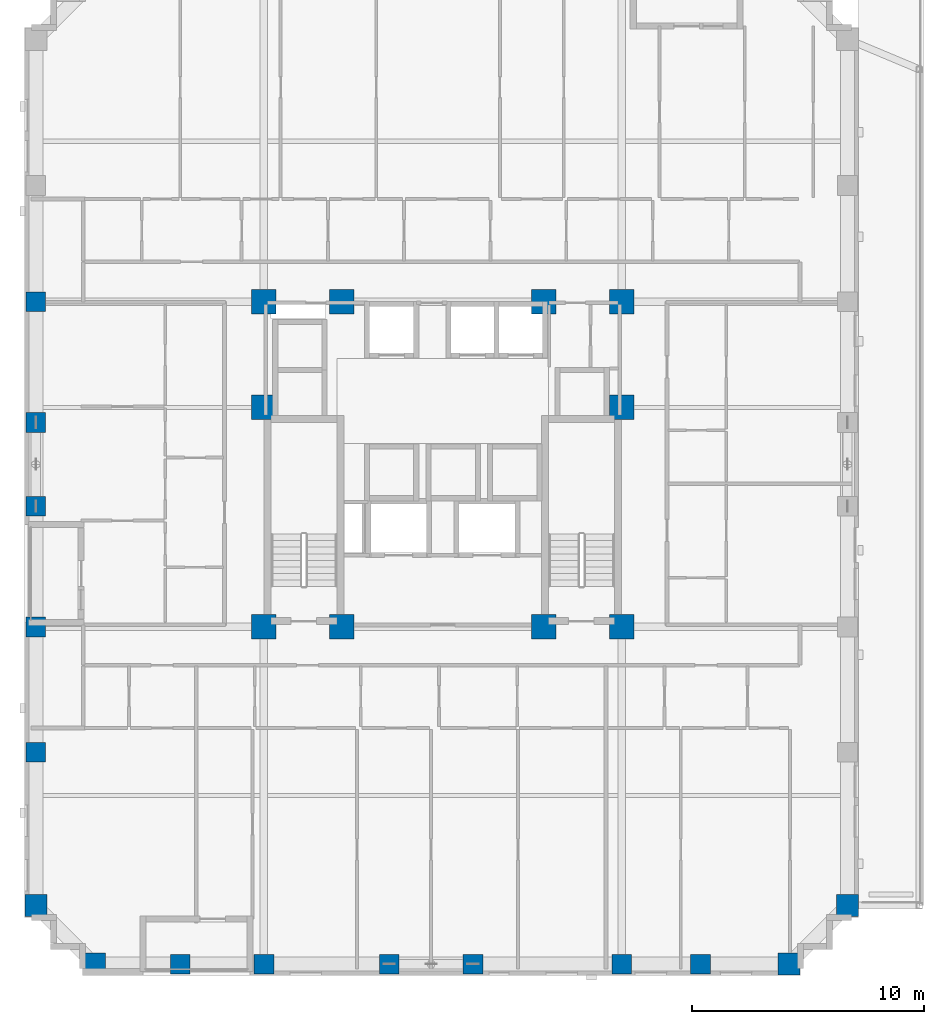
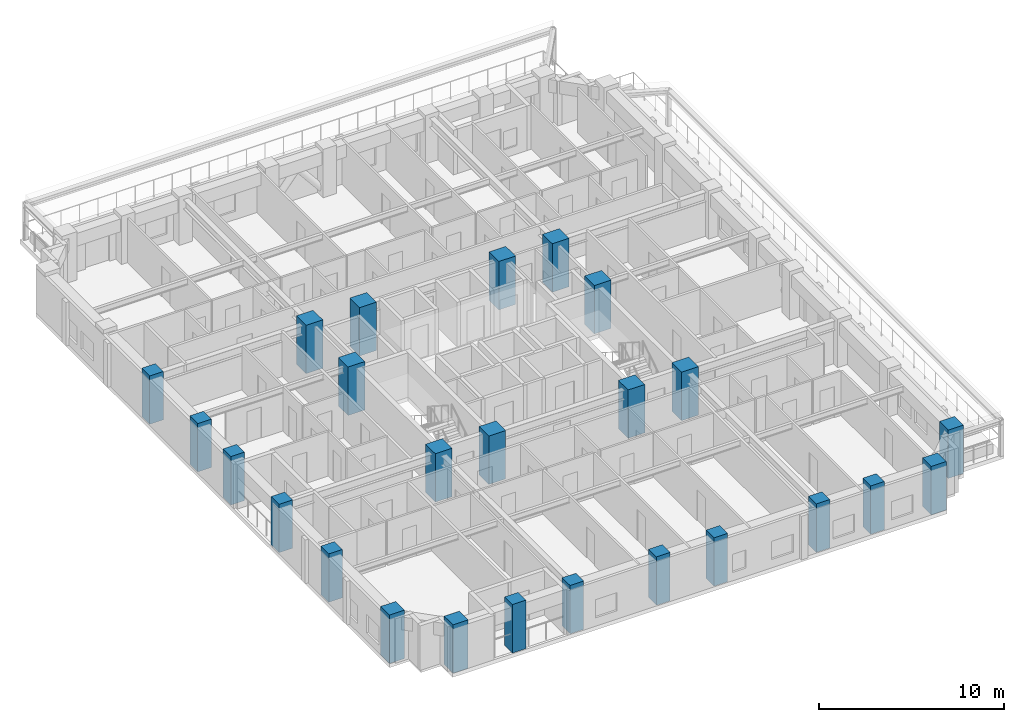
# One storey, part 1 of 16: 25 columns.
"""IFC4 building model written with IfcOpenShell, lengths in metres."""

import ifcopenshell
import ifcopenshell.guid

model = None  # the IFC model being written
_history = None  # IfcOwnerHistory: only IFC2X3 demands one
_inside = {}  # id of a spatial element -> (the spatial element, [elements in it])
_under = {}  # id of a project, library or spatial element -> (it, [spatial elements below it])
_declared = {}  # id of a project -> (the project, [libraries it declares])
_typed = {}  # id of a type object -> (the type object, [elements of that type])
_made_of = {}  # id of a material, layer set ... -> (it, [elements and type objects made of it])


def new_model(schema):
    """Start an empty IFC model of exactly this schema.

    Asked for "IFC4X3", IfcOpenShell would pick the latest addendum, in which some entities
    have other attributes; the version numbers below select the first issue.
    IFC2X3 requires an IfcOwnerHistory on every rooted entity: one is made here for all.
    """
    global model, _history
    if schema == "IFC4X3":
        model = ifcopenshell.file(schema_version=(4, 3, 0, 0))
    else:
        model = ifcopenshell.file(schema=schema)
    _inside.clear()
    _under.clear()
    _declared.clear()
    _typed.clear()
    _made_of.clear()
    _history = None
    if model.schema == "IFC2X3":
        org = make("IfcOrganization", Name="unknown")
        user = make(
            "IfcPersonAndOrganization",
            ThePerson=make("IfcPerson", FamilyName="unknown"),
            TheOrganization=org,
        )
        app = make(
            "IfcApplication",
            ApplicationDeveloper=org,
            Version="unknown",
            ApplicationFullName="unknown",
            ApplicationIdentifier="unknown",
        )
        _history = make(
            "IfcOwnerHistory",
            OwningUser=user,
            OwningApplication=app,
            ChangeAction="ADDED",
            CreationDate=0,
        )
    return model


def make(cls, **values):
    """One entity of the class cls with the attributes given. An attribute that is None is left unset."""
    return model.create_entity(
        cls, **{name: value for name, value in values.items() if value is not None}
    )


def rooted(cls, **values):
    """An entity with a GlobalId (a new one), such as an element, a storey or a relation."""
    return make(cls, GlobalId=ifcopenshell.guid.new(), OwnerHistory=_history, **values)


def si_unit(unit_type, name, prefix=None):
    """IfcSIUnit, for example si_unit("LENGTHUNIT", "METRE", prefix="MILLI")."""
    return make("IfcSIUnit", UnitType=unit_type, Prefix=prefix, Name=name)


def derived_unit(unit_type, elements):
    """IfcDerivedUnit: a product of units, each with its exponent."""
    return make(
        "IfcDerivedUnit",
        Elements=[
            make("IfcDerivedUnitElement", Unit=unit, Exponent=power)
            for unit, power in elements
        ],
        UnitType=unit_type,
    )


def assignment(units):
    """IfcUnitAssignment: the units of a project."""
    return None if units is None else make("IfcUnitAssignment", Units=units)


def point(xyz):
    """IfcCartesianPoint."""
    return None if xyz is None else make("IfcCartesianPoint", Coordinates=xyz)


def direction(xyz):
    """IfcDirection."""
    return None if xyz is None else make("IfcDirection", DirectionRatios=xyz)


def frame(location, z_axis=None, x_axis=None):
    """IfcAxis2Placement3D, a coordinate frame: its origin and axes. An axis left out is left unset."""
    return make(
        "IfcAxis2Placement3D",
        Location=point(location),
        Axis=direction(z_axis),
        RefDirection=direction(x_axis),
    )


def frame_2d(location, x_axis=None):
    """IfcAxis2Placement2D, a coordinate frame in the plane: its origin and x axis."""
    return make(
        "IfcAxis2Placement2D", Location=point(location), RefDirection=direction(x_axis)
    )


def origin():
    """The frame at (0, 0, 0) with its axes left unset."""
    return frame((0.0, 0.0, 0.0))


def origin_2d():
    """The frame at (0, 0) in the plane with its x axis left unset."""
    return frame_2d((0.0, 0.0))


def place(relative_to, where):
    """IfcLocalPlacement: puts the frame where relative to a parent placement (None: the world)."""
    return make(
        "IfcLocalPlacement", PlacementRelTo=relative_to, RelativePlacement=where
    )


def context(
    kind, dimensions, precision=None, world=None, true_north=None, identifier=None
):
    """IfcGeometricRepresentationContext, for example the 3D "Model" context."""
    return make(
        "IfcGeometricRepresentationContext",
        ContextIdentifier=identifier,
        ContextType=kind,
        CoordinateSpaceDimension=dimensions,
        Precision=precision,
        WorldCoordinateSystem=world,
        TrueNorth=true_north,
    )


def subcontext(parent, identifier, kind, view, scale=None):
    """IfcGeometricRepresentationSubContext, for example "Body" below "Model"."""
    return make(
        "IfcGeometricRepresentationSubContext",
        ContextIdentifier=identifier,
        ContextType=kind,
        ParentContext=parent,
        TargetScale=scale,
        TargetView=view,
    )


def project(units=None, contexts=None):
    """IfcProject with its units and contexts."""
    return rooted(
        "IfcProject",
        Name="project",
        RepresentationContexts=contexts,
        UnitsInContext=assignment(units),
    )


def spatial(cls, under=None, at=None, **own):
    """A site, building, storey or space (cls), placed at a placement, below another one or the project."""
    s = rooted(cls, ObjectPlacement=at, **own)
    if under is not None:
        _under.setdefault(under.id(), (under, []))[1].append(s)
    return s


def profile(cls, at=None, kind="AREA", **sizes):
    """A parametric profile (cls). Its sizes go by their IFC names, for example OverallWidth=200.0."""
    return make(cls, ProfileType=kind, Position=at, **sizes)


def rectangle(**sizes):
    """IfcRectangleProfileDef."""
    return profile("IfcRectangleProfileDef", **sizes)


def extrude(swept, where, along, depth):
    """IfcExtrudedAreaSolid: the profile swept, set in the frame where, extruded along a direction by depth."""
    return make(
        "IfcExtrudedAreaSolid",
        SweptArea=swept,
        Position=where,
        ExtrudedDirection=direction(along),
        Depth=depth,
    )


def shape(context_of_items, identifier, shape_type, items):
    """IfcShapeRepresentation: the items that make up one representation, for example the "Body"."""
    return make(
        "IfcShapeRepresentation",
        ContextOfItems=context_of_items,
        RepresentationIdentifier=identifier,
        RepresentationType=shape_type,
        Items=items,
    )


def material(Name=None, Category=None):
    """IfcMaterial."""
    return make("IfcMaterial", Name=Name, Category=Category)


def material_profile(
    of_material, cross_section, Name=None, Category=None, Priority=None
):
    """IfcMaterialProfile: a cross section and its material."""
    return make(
        "IfcMaterialProfile",
        Name=Name,
        Material=of_material,
        Profile=cross_section,
        Priority=Priority,
        Category=Category,
    )


def profile_set(profiles, Name=None, composite=None):
    """IfcMaterialProfileSet."""
    return make(
        "IfcMaterialProfileSet",
        Name=Name,
        MaterialProfiles=profiles,
        CompositeProfile=composite,
    )


def made_of(thing, what):
    """Note that an element or type object is made of a material, layer set ...; save() writes the relation."""
    if what is not None:
        _made_of.setdefault(what.id(), (what, []))[1].append(thing)
    return thing


def type_object(cls, material=None, **own):
    """A type object (cls), such as IfcWallType, which elements share."""
    return made_of(rooted(cls, **own), material)


def element(
    cls,
    number,
    at=None,
    inside=None,
    cuts=None,
    type_object=None,
    material=None,
    context=None,
    identifier="Body",
    shape_type=None,
    held_by="IfcProductDefinitionShape",
    body=None,
    shapes=None,
    **own,
):
    """One element of the class cls, such as IfcWall. Its Tag is "e" and its number.

    at: its placement. inside: the storey or other place that contains it. cuts: it is an
    opening in that element (IfcRelVoidsElement). A single representation is given by context,
    identifier, shape_type and body (its items); several are given by shapes. held_by: the class
    of the entity that holds the representations. save() writes the other relations.
    """
    e = rooted(cls, Tag="e%d" % number, ObjectPlacement=at, **own)
    if body is not None:
        shapes = [shape(context, identifier, shape_type, body)]
    if shapes is not None:
        e.Representation = make(held_by, Representations=shapes)
    if inside is not None:
        _inside.setdefault(inside.id(), (inside, []))[1].append(e)
    if cuts is not None:
        rooted(
            "IfcRelVoidsElement", RelatingBuildingElement=cuts, RelatedOpeningElement=e
        )
    if type_object is not None:
        _typed.setdefault(type_object.id(), (type_object, []))[1].append(e)
    return made_of(e, material)


def aggregate(whole, parts):
    """IfcRelAggregates: a whole, such as a stair, and the parts it consists of."""
    return rooted("IfcRelAggregates", RelatingObject=whole, RelatedObjects=parts)


def save(model, path):
    """Write the relations noted so far, then the file.

    IfcRelAggregates (storeys below a building ...), IfcRelContainedInSpatialStructure (elements
    in a storey), IfcRelDefinesByType, IfcRelAssociatesMaterial and IfcRelDeclares: one each for
    every whole, place, type object, material and project.
    """
    for whole, parts in _under.values():
        aggregate(whole, parts)
    for where, things in _inside.values():
        rooted(
            "IfcRelContainedInSpatialStructure",
            RelatedElements=things,
            RelatingStructure=where,
        )
    for kind, things in _typed.values():
        rooted("IfcRelDefinesByType", RelatedObjects=things, RelatingType=kind)
    for what, things in _made_of.values():
        rooted("IfcRelAssociatesMaterial", RelatedObjects=things, RelatingMaterial=what)
    for by, libraries in _declared.values():
        rooted("IfcRelDeclares", RelatingContext=by, RelatedDefinitions=libraries)
    model.write(path)


model = new_model("IFC4")

# Units and contexts
model_context = context("Model", 3, precision=1e-05, world=origin(), true_north=direction((0.0, 1.0)))
body_context = subcontext(model_context, "Body", "Model", "MODEL_VIEW")
ifc_project = project(units=[si_unit("LENGTHUNIT", "METRE"), si_unit("AREAUNIT", "SQUARE_METRE"), si_unit("VOLUMEUNIT", "CUBIC_METRE"), si_unit("PLANEANGLEUNIT", "RADIAN"), si_unit("MASSUNIT", "GRAM", prefix="KILO"), derived_unit("THERMALTRANSMITTANCEUNIT", [(si_unit("MASSUNIT", "GRAM", prefix="KILO"), 1), (si_unit("TIMEUNIT", "SECOND"), -3), (si_unit("THERMODYNAMICTEMPERATUREUNIT", "KELVIN"), -1)])], contexts=[model_context])

# Site, building, storey
site_placement = place(None, origin())
site = spatial("IfcSite", under=ifc_project, at=site_placement, CompositionType="ELEMENT")
building_placement = place(site_placement, origin())
building = spatial("IfcBuilding", under=site, at=building_placement, Name="Korrvale Station Residences", CompositionType="ELEMENT")
storey_placement = place(building_placement, frame((0.0, 0.0, 75.10009765625)))
storey = spatial("IfcBuildingStorey", under=building, at=storey_placement, Name="L20", CompositionType="ELEMENT", Elevation=75.10009765625)

# Columns
ifc_material = material(Name="Concrete C60/75", Category="concrete")
ifc_material_profile_1 = material_profile(ifc_material, rectangle(XDim=1.050048828125, YDim=1.050048828125, at=origin_2d()), Name="RC1050x1050")
ifc_profile_set_1 = profile_set([ifc_material_profile_1], Name="Concrete C60/75")
column_type_1 = type_object("IfcColumnType", Name="COL-C-RC1050x1050-C6075", PredefinedType="COLUMN", material=ifc_profile_set_1)
for number, where, z_axis, x_axis, name in (
    (1, (17.800048828125, 15.0, 0.0), (0.0, 0.0, 1.0), (1.0, 0.0, 0.0), "L20 Core Column 01"),
    (2, (21.14990234375, 15.0, 0.0), (0.0, 0.0, 1.0), (1.0, 0.0, 0.0), "L20 Core Column 02"),
    (3, (29.85009765625, 15.0, 0.0), (0.0, 0.0, 1.0), (1.0, 0.0, 0.0), "L20 Core Column 03"),
    (4, (33.199951171875, 15.0, 0.0), (0.0, 0.0, 1.0), (1.0, 0.0, 0.0), "L20 Core Column 04"),
    (5, (17.800048828125, 29.0, 0.0), (0.0, 0.0, 1.0), (1.0, 0.0, 0.0), "L20 Core Column 05"),
    (6, (21.14990234375, 29.0, 0.0), (0.0, 0.0, 1.0), (1.0, 0.0, 0.0), "L20 Core Column 06"),
    (7, (29.85009765625, 29.0, 0.0), (0.0, 0.0, 1.0), (1.0, 0.0, 0.0), "L20 Core Column 07"),
    (8, (33.199951171875, 29.0, 0.0), (0.0, 0.0, 1.0), (1.0, 0.0, 0.0), "L20 Core Column 08"),
    (9, (17.800048828125, 24.449951171875, 0.0), (0.0, 0.0, 1.0), (1.0, 0.0, 0.0), "L20 Core Column 09"),
    (10, (33.199951171875, 24.449951171875, 0.0), (0.0, 0.0, 1.0), (1.0, 0.0, 0.0), "L20 Core Column 10"),
):
    element("IfcColumn", number, at=place(storey_placement, frame(where, z_axis=z_axis, x_axis=x_axis)), inside=storey, type_object=column_type_1, Name=name, PredefinedType="COLUMN", context=body_context, shape_type="SweptSolid", body=[
        extrude(rectangle(XDim=1.050048828125, YDim=1.050048828125, at=origin_2d()), origin(), (0.0, 0.0, 1.0), 3.199951171875),
    ])
ifc_material_profile_2 = material_profile(ifc_material, rectangle(XDim=0.85009765625, YDim=0.85009765625, at=origin_2d()), Name="RC850x850")
ifc_profile_set_2 = profile_set([ifc_material_profile_2], Name="Concrete C60/75")
column_type_2 = type_object("IfcColumnType", Name="COL-C-RC850x850-C6075", PredefinedType="COLUMN", material=ifc_profile_set_2)
for number, where, z_axis, x_axis, name in (
    (11, (14.199951171875, 0.47998046875, 0.0), (0.0, 0.0, 1.0), (1.0, 0.0, 0.0), "L20 Bundled-Tube South Column 02"),
    (12, (17.800048828125, 0.47998046875, 0.0), (0.0, 0.0, 1.0), (1.0, 0.0, 0.0), "L20 Bundled-Tube South Column 03"),
    (13, (23.199951171875, 0.47998046875, 0.0), (0.0, 0.0, 1.0), (1.0, 0.0, 0.0), "L20 Bundled-Tube South Column 04"),
    (14, (26.800048828125, 0.47998046875, 0.0), (0.0, 0.0, 1.0), (1.0, 0.0, 0.0), "L20 Bundled-Tube South Column 05"),
    (15, (33.199951171875, 0.47998046875, 0.0), (0.0, 0.0, 1.0), (1.0, 0.0, 0.0), "L20 Bundled-Tube South Column 06"),
    (16, (36.60009765625, 0.47998046875, 0.0), (0.0, 0.0, 1.0), (1.0, 0.0, 0.0), "L20 Bundled-Tube South Column 07"),
    (17, (7.97998046875, 9.60009765625, 0.0), (0.0, 0.0, 1.0), (1.0, 0.0, 0.0), "L20 Bundled-Tube West Column 18"),
    (18, (7.97998046875, 15.0, 0.0), (0.0, 0.0, 1.0), (1.0, 0.0, 0.0), "L20 Bundled-Tube West Column 19"),
    (19, (7.97998046875, 20.199951171875, 0.0), (0.0, 0.0, 1.0), (1.0, 0.0, 0.0), "L20 Bundled-Tube West Column 20"),
    (20, (7.97998046875, 23.800048828125, 0.0), (0.0, 0.0, 1.0), (1.0, 0.0, 0.0), "L20 Bundled-Tube West Column 21"),
    (21, (7.97998046875, 29.0, 0.0), (0.0, 0.0, 1.0), (1.0, 0.0, 0.0), "L20 Bundled-Tube West Column 22"),
):
    element("IfcColumn", number, at=place(storey_placement, frame(where, z_axis=z_axis, x_axis=x_axis)), inside=storey, type_object=column_type_2, Name=name, PredefinedType="COLUMN", context=body_context, shape_type="SweptSolid", body=[
        extrude(rectangle(XDim=0.85009765625, YDim=0.85009765625, at=origin_2d()), origin(), (0.0, 0.0, 1.0), 3.199951171875),
    ])
ifc_material_profile_3 = material_profile(ifc_material, rectangle(XDim=0.949951171875, YDim=0.949951171875, at=origin_2d()), Name="RC950x950")
ifc_profile_set_3 = profile_set([ifc_material_profile_3], Name="Concrete C60/75")
column_type_3 = type_object("IfcColumnType", Name="COL-C-RC950x950-C6075", PredefinedType="COLUMN", material=ifc_profile_set_3)
for number, where, z_axis, x_axis, name in (
    (22, (10.5, 0.47998046875, 0.0), (0.0, 0.0, 1.0), (1.0, 0.0, 0.0), "L20 Bundled-Tube South Column 01"),
    (23, (40.39990234375, 0.47998046875, 0.0), (0.0, 0.0, 1.0), (1.0, 0.0, 0.0), "L20 Bundled-Tube South Column 08"),
    (24, (7.97998046875, 3.0, 0.0), (0.0, 0.0, 1.0), (1.0, 0.0, 0.0), "L20 Bundled-Tube West Column 17"),
    (25, (42.919921875, 3.0, 0.0), (0.0, 0.0, 1.0), (1.0, 0.0, 0.0), "L20 Bundled-Tube East Column 25"),
):
    element("IfcColumn", number, at=place(storey_placement, frame(where, z_axis=z_axis, x_axis=x_axis)), inside=storey, type_object=column_type_3, Name=name, PredefinedType="COLUMN", context=body_context, shape_type="SweptSolid", body=[
        extrude(rectangle(XDim=0.949951171875, YDim=0.949951171875, at=origin_2d()), origin(), (0.0, 0.0, 1.0), 3.199951171875),
    ])

save(model, "model.ifc")
